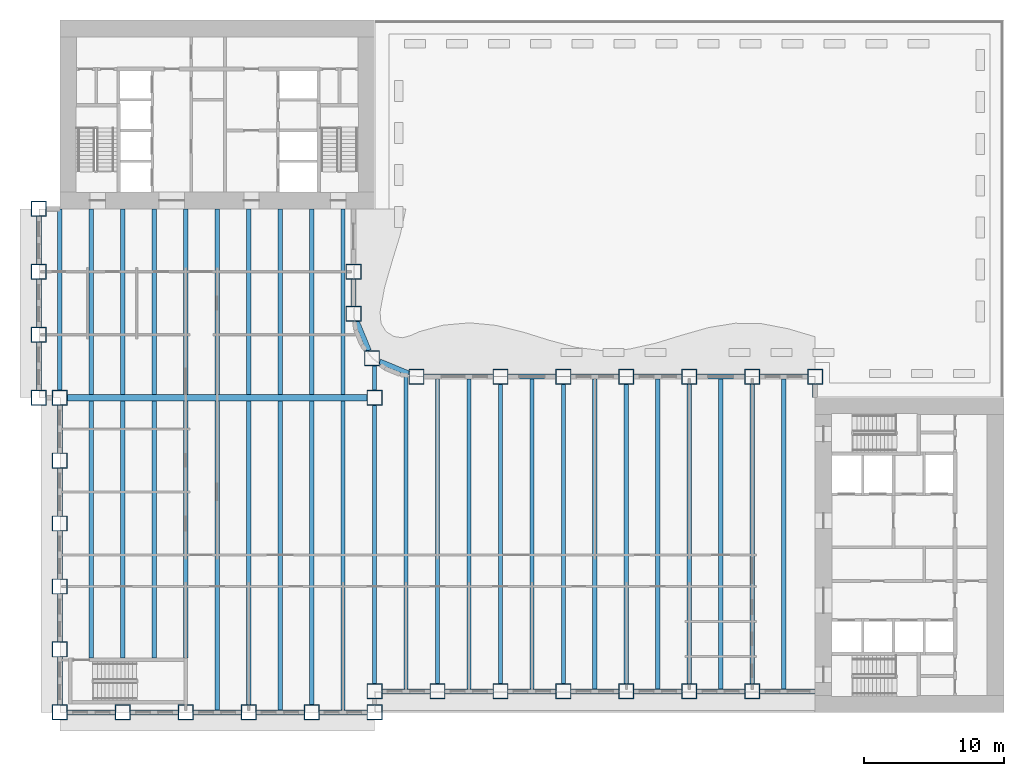
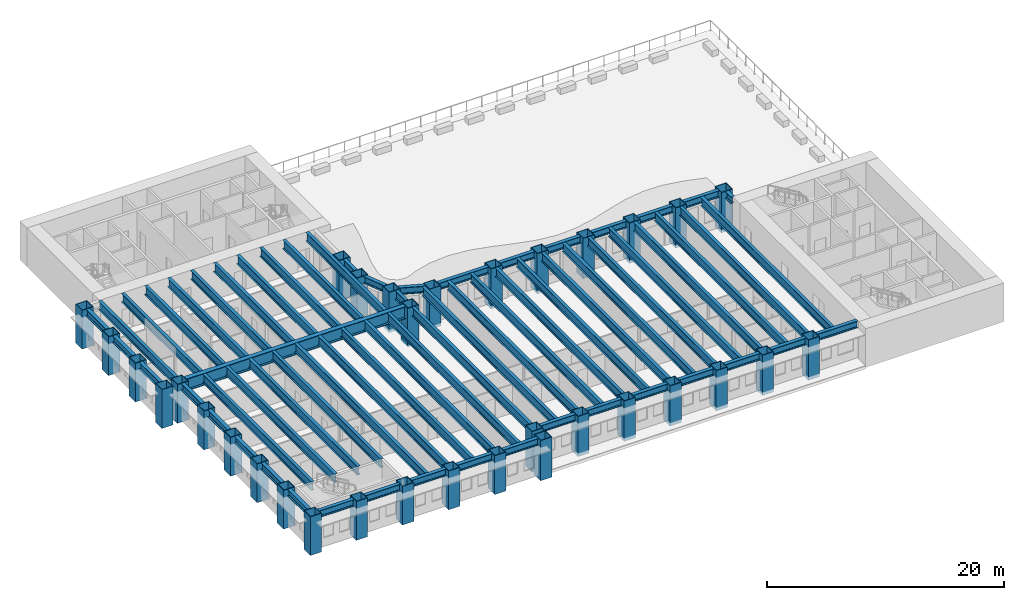
# One storey, part 1 of 18: 65 beams, 33 columns.
"""IFC4 building model written with IfcOpenShell, lengths in metres."""

import ifcopenshell
import ifcopenshell.guid

model = None  # the IFC model being written
_history = None  # IfcOwnerHistory: only IFC2X3 demands one
_inside = {}  # id of a spatial element -> (the spatial element, [elements in it])
_under = {}  # id of a project, library or spatial element -> (it, [spatial elements below it])
_declared = {}  # id of a project -> (the project, [libraries it declares])
_typed = {}  # id of a type object -> (the type object, [elements of that type])
_made_of = {}  # id of a material, layer set ... -> (it, [elements and type objects made of it])


def new_model(schema):
    """Start an empty IFC model of exactly this schema.

    Asked for "IFC4X3", IfcOpenShell would pick the latest addendum, in which some entities
    have other attributes; the version numbers below select the first issue.
    IFC2X3 requires an IfcOwnerHistory on every rooted entity: one is made here for all.
    """
    global model, _history
    if schema == "IFC4X3":
        model = ifcopenshell.file(schema_version=(4, 3, 0, 0))
    else:
        model = ifcopenshell.file(schema=schema)
    _inside.clear()
    _under.clear()
    _declared.clear()
    _typed.clear()
    _made_of.clear()
    _history = None
    if model.schema == "IFC2X3":
        org = make("IfcOrganization", Name="unknown")
        user = make(
            "IfcPersonAndOrganization",
            ThePerson=make("IfcPerson", FamilyName="unknown"),
            TheOrganization=org,
        )
        app = make(
            "IfcApplication",
            ApplicationDeveloper=org,
            Version="unknown",
            ApplicationFullName="unknown",
            ApplicationIdentifier="unknown",
        )
        _history = make(
            "IfcOwnerHistory",
            OwningUser=user,
            OwningApplication=app,
            ChangeAction="ADDED",
            CreationDate=0,
        )
    return model


def make(cls, **values):
    """One entity of the class cls with the attributes given. An attribute that is None is left unset."""
    return model.create_entity(
        cls, **{name: value for name, value in values.items() if value is not None}
    )


def rooted(cls, **values):
    """An entity with a GlobalId (a new one), such as an element, a storey or a relation."""
    return make(cls, GlobalId=ifcopenshell.guid.new(), OwnerHistory=_history, **values)


def si_unit(unit_type, name, prefix=None):
    """IfcSIUnit, for example si_unit("LENGTHUNIT", "METRE", prefix="MILLI")."""
    return make("IfcSIUnit", UnitType=unit_type, Prefix=prefix, Name=name)


def assignment(units):
    """IfcUnitAssignment: the units of a project."""
    return None if units is None else make("IfcUnitAssignment", Units=units)


def point(xyz):
    """IfcCartesianPoint."""
    return None if xyz is None else make("IfcCartesianPoint", Coordinates=xyz)


def direction(xyz):
    """IfcDirection."""
    return None if xyz is None else make("IfcDirection", DirectionRatios=xyz)


def frame(location, z_axis=None, x_axis=None):
    """IfcAxis2Placement3D, a coordinate frame: its origin and axes. An axis left out is left unset."""
    return make(
        "IfcAxis2Placement3D",
        Location=point(location),
        Axis=direction(z_axis),
        RefDirection=direction(x_axis),
    )


def frame_2d(location, x_axis=None):
    """IfcAxis2Placement2D, a coordinate frame in the plane: its origin and x axis."""
    return make(
        "IfcAxis2Placement2D", Location=point(location), RefDirection=direction(x_axis)
    )


def origin():
    """The frame at (0, 0, 0) with its axes left unset."""
    return frame((0.0, 0.0, 0.0))


def origin_2d():
    """The frame at (0, 0) in the plane with its x axis left unset."""
    return frame_2d((0.0, 0.0))


def place(relative_to, where):
    """IfcLocalPlacement: puts the frame where relative to a parent placement (None: the world)."""
    return make(
        "IfcLocalPlacement", PlacementRelTo=relative_to, RelativePlacement=where
    )


def context(
    kind, dimensions, precision=None, world=None, true_north=None, identifier=None
):
    """IfcGeometricRepresentationContext, for example the 3D "Model" context."""
    return make(
        "IfcGeometricRepresentationContext",
        ContextIdentifier=identifier,
        ContextType=kind,
        CoordinateSpaceDimension=dimensions,
        Precision=precision,
        WorldCoordinateSystem=world,
        TrueNorth=true_north,
    )


def subcontext(parent, identifier, kind, view, scale=None):
    """IfcGeometricRepresentationSubContext, for example "Body" below "Model"."""
    return make(
        "IfcGeometricRepresentationSubContext",
        ContextIdentifier=identifier,
        ContextType=kind,
        ParentContext=parent,
        TargetScale=scale,
        TargetView=view,
    )


def project(units=None, contexts=None):
    """IfcProject with its units and contexts."""
    return rooted(
        "IfcProject",
        Name="project",
        RepresentationContexts=contexts,
        UnitsInContext=assignment(units),
    )


def spatial(cls, under=None, at=None, **own):
    """A site, building, storey or space (cls), placed at a placement, below another one or the project."""
    s = rooted(cls, ObjectPlacement=at, **own)
    if under is not None:
        _under.setdefault(under.id(), (under, []))[1].append(s)
    return s


def profile(cls, at=None, kind="AREA", **sizes):
    """A parametric profile (cls). Its sizes go by their IFC names, for example OverallWidth=200.0."""
    return make(cls, ProfileType=kind, Position=at, **sizes)


def hollow_rectangle(**sizes):
    """IfcRectangleHollowProfileDef."""
    return profile("IfcRectangleHollowProfileDef", **sizes)


def i_section(**sizes):
    """IfcIShapeProfileDef."""
    return profile("IfcIShapeProfileDef", **sizes)


def extrude(swept, where, along, depth):
    """IfcExtrudedAreaSolid: the profile swept, set in the frame where, extruded along a direction by depth."""
    return make(
        "IfcExtrudedAreaSolid",
        SweptArea=swept,
        Position=where,
        ExtrudedDirection=direction(along),
        Depth=depth,
    )


def shape(context_of_items, identifier, shape_type, items):
    """IfcShapeRepresentation: the items that make up one representation, for example the "Body"."""
    return make(
        "IfcShapeRepresentation",
        ContextOfItems=context_of_items,
        RepresentationIdentifier=identifier,
        RepresentationType=shape_type,
        Items=items,
    )


def material(Name=None, Category=None):
    """IfcMaterial."""
    return make("IfcMaterial", Name=Name, Category=Category)


def material_profile(
    of_material, cross_section, Name=None, Category=None, Priority=None
):
    """IfcMaterialProfile: a cross section and its material."""
    return make(
        "IfcMaterialProfile",
        Name=Name,
        Material=of_material,
        Profile=cross_section,
        Priority=Priority,
        Category=Category,
    )


def profile_set(profiles, Name=None, composite=None):
    """IfcMaterialProfileSet."""
    return make(
        "IfcMaterialProfileSet",
        Name=Name,
        MaterialProfiles=profiles,
        CompositeProfile=composite,
    )


def made_of(thing, what):
    """Note that an element or type object is made of a material, layer set ...; save() writes the relation."""
    if what is not None:
        _made_of.setdefault(what.id(), (what, []))[1].append(thing)
    return thing


def type_object(cls, material=None, **own):
    """A type object (cls), such as IfcWallType, which elements share."""
    return made_of(rooted(cls, **own), material)


def element(
    cls,
    number,
    at=None,
    inside=None,
    cuts=None,
    type_object=None,
    material=None,
    context=None,
    identifier="Body",
    shape_type=None,
    held_by="IfcProductDefinitionShape",
    body=None,
    shapes=None,
    **own,
):
    """One element of the class cls, such as IfcWall. Its Tag is "e" and its number.

    at: its placement. inside: the storey or other place that contains it. cuts: it is an
    opening in that element (IfcRelVoidsElement). A single representation is given by context,
    identifier, shape_type and body (its items); several are given by shapes. held_by: the class
    of the entity that holds the representations. save() writes the other relations.
    """
    e = rooted(cls, Tag="e%d" % number, ObjectPlacement=at, **own)
    if body is not None:
        shapes = [shape(context, identifier, shape_type, body)]
    if shapes is not None:
        e.Representation = make(held_by, Representations=shapes)
    if inside is not None:
        _inside.setdefault(inside.id(), (inside, []))[1].append(e)
    if cuts is not None:
        rooted(
            "IfcRelVoidsElement", RelatingBuildingElement=cuts, RelatedOpeningElement=e
        )
    if type_object is not None:
        _typed.setdefault(type_object.id(), (type_object, []))[1].append(e)
    return made_of(e, material)


def aggregate(whole, parts):
    """IfcRelAggregates: a whole, such as a stair, and the parts it consists of."""
    return rooted("IfcRelAggregates", RelatingObject=whole, RelatedObjects=parts)


def save(model, path):
    """Write the relations noted so far, then the file.

    IfcRelAggregates (storeys below a building ...), IfcRelContainedInSpatialStructure (elements
    in a storey), IfcRelDefinesByType, IfcRelAssociatesMaterial and IfcRelDeclares: one each for
    every whole, place, type object, material and project.
    """
    for whole, parts in _under.values():
        aggregate(whole, parts)
    for where, things in _inside.values():
        rooted(
            "IfcRelContainedInSpatialStructure",
            RelatedElements=things,
            RelatingStructure=where,
        )
    for kind, things in _typed.values():
        rooted("IfcRelDefinesByType", RelatedObjects=things, RelatingType=kind)
    for what, things in _made_of.values():
        rooted("IfcRelAssociatesMaterial", RelatedObjects=things, RelatingMaterial=what)
    for by, libraries in _declared.values():
        rooted("IfcRelDeclares", RelatingContext=by, RelatedDefinitions=libraries)
    model.write(path)


model = new_model("IFC4")

# Units and contexts
model_context = context("Model", 3, precision=1e-05, world=origin(), true_north=direction((0.0, 1.0)))
body_context = subcontext(model_context, "Body", "Model", "MODEL_VIEW")
ifc_project = project(units=[si_unit("LENGTHUNIT", "METRE"), si_unit("AREAUNIT", "SQUARE_METRE"), si_unit("VOLUMEUNIT", "CUBIC_METRE"), si_unit("PLANEANGLEUNIT", "RADIAN"), si_unit("MASSUNIT", "GRAM", prefix="KILO")], contexts=[model_context])

# Site, building, storey
site_placement = place(None, origin())
site = spatial("IfcSite", under=ifc_project, at=site_placement, CompositionType="ELEMENT")
building_placement = place(site_placement, origin())
building = spatial("IfcBuilding", under=site, at=building_placement, Name="Sennacour Bend Tower", CompositionType="ELEMENT")
storey_placement = place(building_placement, frame((0.0, 0.0, 29.0)))
storey = spatial("IfcBuildingStorey", under=building, at=storey_placement, Name="L05", CompositionType="ELEMENT", Elevation=29.0)

# Columns
ifc_material_1 = material(Name="Steel ASTM A572 Grade 50", Category="steel")
ifc_material_profile_1 = material_profile(ifc_material_1, hollow_rectangle(XDim=1.10009765625, YDim=1.10009765625, WallThickness=0.06005859375, at=origin_2d()), Name="Steel ASTM A572 Grade 50", Category="steel")
ifc_profile_set_1 = profile_set([ifc_material_profile_1], Name="Steel ASTM A572 Grade 50")
column_type = type_object("IfcColumnType", Name="Box column 1100", PredefinedType="COLUMN", material=ifc_profile_set_1)
for number, where, z_axis, x_axis, name in (
    (1, (-1.5, 22.5, -0.14990234375), (0.0, 0.0, 1.0), (1.0, 0.0, 0.0), "Perimeter column C1 L05-001"),
    (2, (-1.5, 27.0, -0.14990234375), (0.0, 0.0, 1.0), (1.0, 0.0, 0.0), "Perimeter column C1 L05-002"),
    (3, (-1.5, 31.5, -0.14990234375), (0.0, 0.0, 1.0), (1.0, 0.0, 0.0), "Perimeter column C1 L05-003"),
    (4, (-1.5, 36.0, -0.14990234375), (0.0, 0.0, 1.0), (1.0, 0.0, 0.0), "Perimeter column C1 L05-004"),
    (5, (0.0, 0.0, -0.14990234375), (0.0, 0.0, 1.0), (1.0, 0.0, 0.0), "Perimeter column C1 L05-005"),
    (6, (0.0, 4.5, -0.14990234375), (0.0, 0.0, 1.0), (1.0, 0.0, 0.0), "Perimeter column C1 L05-006"),
    (7, (0.0, 9.0, -0.14990234375), (0.0, 0.0, 1.0), (1.0, 0.0, 0.0), "Perimeter column C1 L05-007"),
    (8, (0.0, 13.5, -0.14990234375), (0.0, 0.0, 1.0), (1.0, 0.0, 0.0), "Perimeter column C1 L05-008"),
    (9, (0.0, 18.0, -0.14990234375), (0.0, 0.0, 1.0), (1.0, 0.0, 0.0), "Perimeter column C1 L05-009"),
    (10, (0.0, 22.5, -0.14990234375), (0.0, 0.0, 1.0), (1.0, 0.0, 0.0), "Perimeter column C1 L05-010"),
    (11, (4.5, 0.0, -0.14990234375), (0.0, 0.0, 1.0), (1.0, 0.0, 0.0), "Perimeter column C1 L05-011"),
    (12, (9.0, 0.0, -0.14990234375), (0.0, 0.0, 1.0), (1.0, 0.0, 0.0), "Perimeter column C1 L05-012"),
    (13, (13.5, 0.0, -0.14990234375), (0.0, 0.0, 1.0), (1.0, 0.0, 0.0), "Perimeter column C1 L05-013"),
    (14, (18.0, 0.0, -0.14990234375), (0.0, 0.0, 1.0), (1.0, 0.0, 0.0), "Perimeter column C1 L05-014"),
):
    element("IfcColumn", number, at=place(storey_placement, frame(where, z_axis=z_axis, x_axis=x_axis)), inside=storey, type_object=column_type, Name=name, PredefinedType="COLUMN", context=body_context, shape_type="SweptSolid", body=[
        extrude(hollow_rectangle(XDim=1.10009765625, YDim=1.10009765625, WallThickness=0.06005859375, at=origin_2d()), origin(), (0.0, 0.0, 1.0), 4.0),
    ])
for number, where, z_axis, x_axis, name in (
    (15, (21.0, 28.5, -0.300048828125), (0.0, 0.0, 1.0), (1.0, 0.0, 0.0), "Perimeter column C1 L05-015"),
    (16, (21.0, 31.5, -0.300048828125), (0.0, 0.0, 1.0), (1.0, 0.0, 0.0), "Perimeter column C1 L05-016"),
    (17, (22.318115234375, 25.318115234375, -0.300048828125), (0.0, 0.0, 1.0), (1.0, 0.0, 0.0), "Perimeter column C1 L05-017"),
    (18, (22.5, 0.0, -0.300048828125), (0.0, 0.0, 1.0), (1.0, 0.0, 0.0), "Perimeter column C1 L05-018"),
    (19, (22.5, 1.5, -0.300048828125), (0.0, 0.0, 1.0), (1.0, 0.0, 0.0), "Perimeter column C1 L05-019"),
):
    element("IfcColumn", number, at=place(storey_placement, frame(where, z_axis=z_axis, x_axis=x_axis)), inside=storey, type_object=column_type, Name=name, PredefinedType="COLUMN", context=body_context, shape_type="SweptSolid", body=[
        extrude(hollow_rectangle(XDim=1.10009765625, YDim=1.10009765625, WallThickness=0.06005859375, at=origin_2d()), origin(), (0.0, 0.0, 1.0), 4.150146484375),
    ])
column_placement = place(storey_placement, frame((22.5, 22.5, -0.14990234375), z_axis=(0.0, 0.0, 1.0), x_axis=(1.0, 0.0, 0.0)))
element("IfcColumn", 20, at=column_placement, inside=storey, type_object=column_type, Name="Knuckle column C1 L05-020", PredefinedType="COLUMN", context=body_context, shape_type="SweptSolid", body=[
    extrude(hollow_rectangle(XDim=1.10009765625, YDim=1.10009765625, WallThickness=0.06005859375, at=origin_2d()), origin(), (0.0, 0.0, 1.0), 4.0),
])
for number, where, z_axis, x_axis, name in (
    (21, (25.5, 24.0, -0.300048828125), (0.0, 0.0, 1.0), (1.0, 0.0, 0.0), "Perimeter column C1 L05-021"),
    (22, (27.0, 1.5, -0.300048828125), (0.0, 0.0, 1.0), (1.0, 0.0, 0.0), "Perimeter column C1 L05-022"),
    (23, (31.5, 1.5, -0.300048828125), (0.0, 0.0, 1.0), (1.0, 0.0, 0.0), "Perimeter column C1 L05-023"),
    (24, (31.5, 24.0, -0.300048828125), (0.0, 0.0, 1.0), (1.0, 0.0, 0.0), "Perimeter column C1 L05-024"),
    (25, (36.0, 1.5, -0.300048828125), (0.0, 0.0, 1.0), (1.0, 0.0, 0.0), "Perimeter column C1 L05-025"),
    (26, (36.0, 24.0, -0.300048828125), (0.0, 0.0, 1.0), (1.0, 0.0, 0.0), "Perimeter column C1 L05-026"),
    (27, (40.5, 1.5, -0.300048828125), (0.0, 0.0, 1.0), (1.0, 0.0, 0.0), "Perimeter column C1 L05-027"),
    (28, (40.5, 24.0, -0.300048828125), (0.0, 0.0, 1.0), (1.0, 0.0, 0.0), "Perimeter column C1 L05-028"),
    (29, (45.0, 1.5, -0.300048828125), (0.0, 0.0, 1.0), (1.0, 0.0, 0.0), "Perimeter column C1 L05-029"),
    (30, (45.0, 24.0, -0.300048828125), (0.0, 0.0, 1.0), (1.0, 0.0, 0.0), "Perimeter column C1 L05-030"),
    (31, (49.5, 1.5, -0.300048828125), (0.0, 0.0, 1.0), (1.0, 0.0, 0.0), "Perimeter column C1 L05-031"),
    (32, (49.5, 24.0, -0.300048828125), (0.0, 0.0, 1.0), (1.0, 0.0, 0.0), "Perimeter column C1 L05-032"),
    (33, (54.0, 24.0, -0.300048828125), (0.0, 0.0, 1.0), (1.0, 0.0, 0.0), "Perimeter column C1 L05-033"),
):
    element("IfcColumn", number, at=place(storey_placement, frame(where, z_axis=z_axis, x_axis=x_axis)), inside=storey, type_object=column_type, Name=name, PredefinedType="COLUMN", context=body_context, shape_type="SweptSolid", body=[
        extrude(hollow_rectangle(XDim=1.10009765625, YDim=1.10009765625, WallThickness=0.06005859375, at=origin_2d()), origin(), (0.0, 0.0, 1.0), 4.150146484375),
    ])

# Beams
ifc_material_2 = material(Name="Steel ASTM A992 Grade 50", Category="steel")
ifc_material_profile_2 = material_profile(ifc_material_2, i_section(OverallWidth=0.304931640625, OverallDepth=0.912109375, WebThickness=0.015869140625, FlangeThickness=0.02392578125, FilletRadius=0.01904296875, at=origin_2d()), Name="Steel ASTM A992 Grade 50", Category="steel")
ifc_profile_set_2 = profile_set([ifc_material_profile_2], Name="Steel ASTM A992 Grade 50")
beam_type_1 = type_object("IfcBeamType", Name="Floor beam W920X223", PredefinedType="BEAM", material=ifc_profile_set_2)
beam_1_placement = place(storey_placement, frame((0.0, 23.050048828125, 3.39404296875), z_axis=(0.0, 1.0, 0.0), x_axis=(-1.0, 0.0, 0.0)))
element("IfcBeam", 34, at=beam_1_placement, inside=storey, type_object=beam_type_1, Name="Floor beam FBM1 L06-001", PredefinedType="BEAM", context=body_context, shape_type="SweptSolid", body=[
    extrude(i_section(OverallWidth=0.304931640625, OverallDepth=0.912109375, WebThickness=0.015869140625, FlangeThickness=0.02392578125, FilletRadius=0.01904296875, at=origin_2d()), origin(), (0.0, 0.0, 1.0), 12.949951171875),
])
beam_2_placement = place(storey_placement, frame((2.25, 3.875, 3.39404296875), z_axis=(0.0, 1.0, 0.0), x_axis=(-1.0, 0.0, 0.0)))
element("IfcBeam", 35, at=beam_2_placement, inside=storey, type_object=beam_type_1, Name="Floor beam FBM1 L06-002", PredefinedType="BEAM", context=body_context, shape_type="SweptSolid", body=[
    extrude(i_section(OverallWidth=0.304931640625, OverallDepth=0.912109375, WebThickness=0.015869140625, FlangeThickness=0.02392578125, FilletRadius=0.01904296875, at=origin_2d()), origin(), (0.0, 0.0, 1.0), 18.39990234375),
])
beam_3_placement = place(storey_placement, frame((2.25, 22.72509765625, 3.39404296875), z_axis=(0.0, 1.0, 0.0), x_axis=(-1.0, 0.0, 0.0)))
element("IfcBeam", 36, at=beam_3_placement, inside=storey, type_object=beam_type_1, Name="Floor beam FBM1 L06-003", PredefinedType="BEAM", context=body_context, shape_type="SweptSolid", body=[
    extrude(i_section(OverallWidth=0.304931640625, OverallDepth=0.912109375, WebThickness=0.015869140625, FlangeThickness=0.02392578125, FilletRadius=0.01904296875, at=origin_2d()), origin(), (0.0, 0.0, 1.0), 13.27490234375),
])
beam_4_placement = place(storey_placement, frame((4.5, 3.875, 3.39404296875), z_axis=(0.0, 1.0, 0.0), x_axis=(-1.0, 0.0, 0.0)))
element("IfcBeam", 37, at=beam_4_placement, inside=storey, type_object=beam_type_1, Name="Floor beam FBM1 L06-004", PredefinedType="BEAM", context=body_context, shape_type="SweptSolid", body=[
    extrude(i_section(OverallWidth=0.304931640625, OverallDepth=0.912109375, WebThickness=0.015869140625, FlangeThickness=0.02392578125, FilletRadius=0.01904296875, at=origin_2d()), origin(), (0.0, 0.0, 1.0), 18.39990234375),
])
beam_5_placement = place(storey_placement, frame((4.5, 22.72509765625, 3.39404296875), z_axis=(0.0, 1.0, 0.0), x_axis=(-1.0, 0.0, 0.0)))
element("IfcBeam", 38, at=beam_5_placement, inside=storey, type_object=beam_type_1, Name="Floor beam FBM1 L06-005", PredefinedType="BEAM", context=body_context, shape_type="SweptSolid", body=[
    extrude(i_section(OverallWidth=0.304931640625, OverallDepth=0.912109375, WebThickness=0.015869140625, FlangeThickness=0.02392578125, FilletRadius=0.01904296875, at=origin_2d()), origin(), (0.0, 0.0, 1.0), 13.27490234375),
])
beam_6_placement = place(storey_placement, frame((6.75, 3.875, 3.39404296875), z_axis=(0.0, 1.0, 0.0), x_axis=(-1.0, 0.0, 0.0)))
element("IfcBeam", 39, at=beam_6_placement, inside=storey, type_object=beam_type_1, Name="Floor beam FBM1 L06-006", PredefinedType="BEAM", context=body_context, shape_type="SweptSolid", body=[
    extrude(i_section(OverallWidth=0.304931640625, OverallDepth=0.912109375, WebThickness=0.015869140625, FlangeThickness=0.02392578125, FilletRadius=0.01904296875, at=origin_2d()), origin(), (0.0, 0.0, 1.0), 18.39990234375),
])
beam_7_placement = place(storey_placement, frame((6.75, 22.72509765625, 3.39404296875), z_axis=(0.0, 1.0, 0.0), x_axis=(-1.0, 0.0, 0.0)))
element("IfcBeam", 40, at=beam_7_placement, inside=storey, type_object=beam_type_1, Name="Floor beam FBM1 L06-007", PredefinedType="BEAM", context=body_context, shape_type="SweptSolid", body=[
    extrude(i_section(OverallWidth=0.304931640625, OverallDepth=0.912109375, WebThickness=0.015869140625, FlangeThickness=0.02392578125, FilletRadius=0.01904296875, at=origin_2d()), origin(), (0.0, 0.0, 1.0), 13.27490234375),
])
beam_8_placement = place(storey_placement, frame((9.0, 3.875, 3.39404296875), z_axis=(0.0, 1.0, 0.0), x_axis=(-1.0, 0.0, 0.0)))
element("IfcBeam", 41, at=beam_8_placement, inside=storey, type_object=beam_type_1, Name="Floor beam FBM1 L06-008", PredefinedType="BEAM", context=body_context, shape_type="SweptSolid", body=[
    extrude(i_section(OverallWidth=0.304931640625, OverallDepth=0.912109375, WebThickness=0.015869140625, FlangeThickness=0.02392578125, FilletRadius=0.01904296875, at=origin_2d()), origin(), (0.0, 0.0, 1.0), 18.39990234375),
])
beam_9_placement = place(storey_placement, frame((9.0, 22.72509765625, 3.39404296875), z_axis=(0.0, 1.0, 0.0), x_axis=(-1.0, 0.0, 0.0)))
element("IfcBeam", 42, at=beam_9_placement, inside=storey, type_object=beam_type_1, Name="Floor beam FBM1 L06-009", PredefinedType="BEAM", context=body_context, shape_type="SweptSolid", body=[
    extrude(i_section(OverallWidth=0.304931640625, OverallDepth=0.912109375, WebThickness=0.015869140625, FlangeThickness=0.02392578125, FilletRadius=0.01904296875, at=origin_2d()), origin(), (0.0, 0.0, 1.0), 13.27490234375),
])
beam_10_placement = place(storey_placement, frame((11.25, 0.178955078125, 3.39404296875), z_axis=(0.0, 1.0, 0.0), x_axis=(-1.0, 0.0, 0.0)))
element("IfcBeam", 43, at=beam_10_placement, inside=storey, type_object=beam_type_1, Name="Floor beam FBM1 L06-010", PredefinedType="BEAM", context=body_context, shape_type="SweptSolid", body=[
    extrude(i_section(OverallWidth=0.304931640625, OverallDepth=0.912109375, WebThickness=0.015869140625, FlangeThickness=0.02392578125, FilletRadius=0.01904296875, at=origin_2d()), origin(), (0.0, 0.0, 1.0), 22.095947265625),
])
beam_11_placement = place(storey_placement, frame((11.25, 22.72509765625, 3.39404296875), z_axis=(0.0, 1.0, 0.0), x_axis=(-1.0, 0.0, 0.0)))
element("IfcBeam", 44, at=beam_11_placement, inside=storey, type_object=beam_type_1, Name="Floor beam FBM1 L06-011", PredefinedType="BEAM", context=body_context, shape_type="SweptSolid", body=[
    extrude(i_section(OverallWidth=0.304931640625, OverallDepth=0.912109375, WebThickness=0.015869140625, FlangeThickness=0.02392578125, FilletRadius=0.01904296875, at=origin_2d()), origin(), (0.0, 0.0, 1.0), 13.27490234375),
])
beam_12_placement = place(storey_placement, frame((13.5, 0.550048828125, 3.39404296875), z_axis=(0.0, 1.0, 0.0), x_axis=(-1.0, 0.0, 0.0)))
element("IfcBeam", 45, at=beam_12_placement, inside=storey, type_object=beam_type_1, Name="Floor beam FBM1 L06-012", PredefinedType="BEAM", context=body_context, shape_type="SweptSolid", body=[
    extrude(i_section(OverallWidth=0.304931640625, OverallDepth=0.912109375, WebThickness=0.015869140625, FlangeThickness=0.02392578125, FilletRadius=0.01904296875, at=origin_2d()), origin(), (0.0, 0.0, 1.0), 21.724853515625),
])
beam_13_placement = place(storey_placement, frame((13.5, 22.72509765625, 3.39404296875), z_axis=(0.0, 1.0, 0.0), x_axis=(-1.0, 0.0, 0.0)))
element("IfcBeam", 46, at=beam_13_placement, inside=storey, type_object=beam_type_1, Name="Floor beam FBM1 L06-013", PredefinedType="BEAM", context=body_context, shape_type="SweptSolid", body=[
    extrude(i_section(OverallWidth=0.304931640625, OverallDepth=0.912109375, WebThickness=0.015869140625, FlangeThickness=0.02392578125, FilletRadius=0.01904296875, at=origin_2d()), origin(), (0.0, 0.0, 1.0), 13.27490234375),
])
beam_14_placement = place(storey_placement, frame((15.75, 0.178955078125, 3.39404296875), z_axis=(0.0, 1.0, 0.0), x_axis=(-1.0, 0.0, 0.0)))
element("IfcBeam", 47, at=beam_14_placement, inside=storey, type_object=beam_type_1, Name="Floor beam FBM1 L06-014", PredefinedType="BEAM", context=body_context, shape_type="SweptSolid", body=[
    extrude(i_section(OverallWidth=0.304931640625, OverallDepth=0.912109375, WebThickness=0.015869140625, FlangeThickness=0.02392578125, FilletRadius=0.01904296875, at=origin_2d()), origin(), (0.0, 0.0, 1.0), 22.095947265625),
])
beam_15_placement = place(storey_placement, frame((15.75, 22.72509765625, 3.39404296875), z_axis=(0.0, 1.0, 0.0), x_axis=(-1.0, 0.0, 0.0)))
element("IfcBeam", 48, at=beam_15_placement, inside=storey, type_object=beam_type_1, Name="Floor beam FBM1 L06-015", PredefinedType="BEAM", context=body_context, shape_type="SweptSolid", body=[
    extrude(i_section(OverallWidth=0.304931640625, OverallDepth=0.912109375, WebThickness=0.015869140625, FlangeThickness=0.02392578125, FilletRadius=0.01904296875, at=origin_2d()), origin(), (0.0, 0.0, 1.0), 13.27490234375),
])
beam_16_placement = place(storey_placement, frame((18.0, 0.550048828125, 3.39404296875), z_axis=(0.0, 1.0, 0.0), x_axis=(-1.0, 0.0, 0.0)))
element("IfcBeam", 49, at=beam_16_placement, inside=storey, type_object=beam_type_1, Name="Floor beam FBM1 L06-016", PredefinedType="BEAM", context=body_context, shape_type="SweptSolid", body=[
    extrude(i_section(OverallWidth=0.304931640625, OverallDepth=0.912109375, WebThickness=0.015869140625, FlangeThickness=0.02392578125, FilletRadius=0.01904296875, at=origin_2d()), origin(), (0.0, 0.0, 1.0), 21.724853515625),
])
beam_17_placement = place(storey_placement, frame((18.0, 22.72509765625, 3.39404296875), z_axis=(0.0, 1.0, 0.0), x_axis=(-1.0, 0.0, 0.0)))
element("IfcBeam", 50, at=beam_17_placement, inside=storey, type_object=beam_type_1, Name="Floor beam FBM1 L06-017", PredefinedType="BEAM", context=body_context, shape_type="SweptSolid", body=[
    extrude(i_section(OverallWidth=0.304931640625, OverallDepth=0.912109375, WebThickness=0.015869140625, FlangeThickness=0.02392578125, FilletRadius=0.01904296875, at=origin_2d()), origin(), (0.0, 0.0, 1.0), 13.27490234375),
])
beam_18_placement = place(storey_placement, frame((20.25, 0.178955078125, 3.39404296875), z_axis=(0.0, 1.0, 0.0), x_axis=(-1.0, 0.0, 0.0)))
element("IfcBeam", 51, at=beam_18_placement, inside=storey, type_object=beam_type_1, Name="Floor beam FBM1 L06-018", PredefinedType="BEAM", context=body_context, shape_type="SweptSolid", body=[
    extrude(i_section(OverallWidth=0.304931640625, OverallDepth=0.912109375, WebThickness=0.015869140625, FlangeThickness=0.02392578125, FilletRadius=0.01904296875, at=origin_2d()), origin(), (0.0, 0.0, 1.0), 22.095947265625),
])
beam_19_placement = place(storey_placement, frame((20.25, 22.72509765625, 3.39404296875), z_axis=(0.0, 1.0, 0.0), x_axis=(-1.0, 0.0, 0.0)))
element("IfcBeam", 52, at=beam_19_placement, inside=storey, type_object=beam_type_1, Name="Floor beam FBM1 L06-019", PredefinedType="BEAM", context=body_context, shape_type="SweptSolid", body=[
    extrude(i_section(OverallWidth=0.304931640625, OverallDepth=0.912109375, WebThickness=0.015869140625, FlangeThickness=0.02392578125, FilletRadius=0.01904296875, at=origin_2d()), origin(), (0.0, 0.0, 1.0), 13.27490234375),
])
beam_20_placement = place(storey_placement, frame((22.5, 2.050048828125, 3.39404296875), z_axis=(0.0, 1.0, 0.0), x_axis=(-1.0, 0.0, 0.0)))
element("IfcBeam", 53, at=beam_20_placement, inside=storey, type_object=beam_type_1, Name="Floor beam FBM1 L06-020", PredefinedType="BEAM", context=body_context, shape_type="SweptSolid", body=[
    extrude(i_section(OverallWidth=0.304931640625, OverallDepth=0.912109375, WebThickness=0.015869140625, FlangeThickness=0.02392578125, FilletRadius=0.01904296875, at=origin_2d()), origin(), (0.0, 0.0, 1.0), 19.89990234375),
])
beam_21_placement = place(storey_placement, frame((22.5, 23.050048828125, 3.39404296875), z_axis=(0.0, 1.0, 0.0), x_axis=(-1.0, 0.0, 0.0)))
element("IfcBeam", 54, at=beam_21_placement, inside=storey, type_object=beam_type_1, Name="Floor beam FBM1 L06-021", PredefinedType="BEAM", context=body_context, shape_type="SweptSolid", body=[
    extrude(i_section(OverallWidth=0.304931640625, OverallDepth=0.912109375, WebThickness=0.015869140625, FlangeThickness=0.02392578125, FilletRadius=0.01904296875, at=origin_2d()), origin(), (0.0, 0.0, 1.0), 1.718017578125),
])
beam_22_placement = place(storey_placement, frame((24.75, 1.678955078125, 3.39404296875), z_axis=(0.0, 1.0, 0.0), x_axis=(-1.0, 0.0, 0.0)))
element("IfcBeam", 55, at=beam_22_placement, inside=storey, type_object=beam_type_1, Name="Floor beam FBM1 L06-022", PredefinedType="BEAM", context=body_context, shape_type="SweptSolid", body=[
    extrude(i_section(OverallWidth=0.304931640625, OverallDepth=0.912109375, WebThickness=0.015869140625, FlangeThickness=0.02392578125, FilletRadius=0.01904296875, at=origin_2d()), origin(), (0.0, 0.0, 1.0), 22.43798828125),
])
beam_23_placement = place(storey_placement, frame((27.0, 2.050048828125, 3.39404296875), z_axis=(0.0, 1.0, 0.0), x_axis=(-1.0, 0.0, 0.0)))
element("IfcBeam", 56, at=beam_23_placement, inside=storey, type_object=beam_type_1, Name="Floor beam FBM1 L06-023", PredefinedType="BEAM", context=body_context, shape_type="SweptSolid", body=[
    extrude(i_section(OverallWidth=0.304931640625, OverallDepth=0.912109375, WebThickness=0.015869140625, FlangeThickness=0.02392578125, FilletRadius=0.01904296875, at=origin_2d()), origin(), (0.0, 0.0, 1.0), 21.77099609375),
])
beam_24_placement = place(storey_placement, frame((29.25, 1.678955078125, 3.39404296875), z_axis=(0.0, 1.0, 0.0), x_axis=(-1.0, 0.0, 0.0)))
element("IfcBeam", 57, at=beam_24_placement, inside=storey, type_object=beam_type_1, Name="Floor beam FBM1 L06-024", PredefinedType="BEAM", context=body_context, shape_type="SweptSolid", body=[
    extrude(i_section(OverallWidth=0.304931640625, OverallDepth=0.912109375, WebThickness=0.015869140625, FlangeThickness=0.02392578125, FilletRadius=0.01904296875, at=origin_2d()), origin(), (0.0, 0.0, 1.0), 22.14208984375),
])
beam_25_placement = place(storey_placement, frame((31.5, 2.050048828125, 3.39404296875), z_axis=(0.0, 1.0, 0.0), x_axis=(-1.0, 0.0, 0.0)))
element("IfcBeam", 58, at=beam_25_placement, inside=storey, type_object=beam_type_1, Name="Floor beam FBM1 L06-025", PredefinedType="BEAM", context=body_context, shape_type="SweptSolid", body=[
    extrude(i_section(OverallWidth=0.304931640625, OverallDepth=0.912109375, WebThickness=0.015869140625, FlangeThickness=0.02392578125, FilletRadius=0.01904296875, at=origin_2d()), origin(), (0.0, 0.0, 1.0), 21.39990234375),
])
beam_26_placement = place(storey_placement, frame((33.75, 1.678955078125, 3.39404296875), z_axis=(0.0, 1.0, 0.0), x_axis=(-1.0, 0.0, 0.0)))
element("IfcBeam", 59, at=beam_26_placement, inside=storey, type_object=beam_type_1, Name="Floor beam FBM1 L06-026", PredefinedType="BEAM", context=body_context, shape_type="SweptSolid", body=[
    extrude(i_section(OverallWidth=0.304931640625, OverallDepth=0.912109375, WebThickness=0.015869140625, FlangeThickness=0.02392578125, FilletRadius=0.01904296875, at=origin_2d()), origin(), (0.0, 0.0, 1.0), 22.14208984375),
])
beam_27_placement = place(storey_placement, frame((36.0, 2.050048828125, 3.39404296875), z_axis=(0.0, 1.0, 0.0), x_axis=(-1.0, 0.0, 0.0)))
element("IfcBeam", 60, at=beam_27_placement, inside=storey, type_object=beam_type_1, Name="Floor beam FBM1 L06-027", PredefinedType="BEAM", context=body_context, shape_type="SweptSolid", body=[
    extrude(i_section(OverallWidth=0.304931640625, OverallDepth=0.912109375, WebThickness=0.015869140625, FlangeThickness=0.02392578125, FilletRadius=0.01904296875, at=origin_2d()), origin(), (0.0, 0.0, 1.0), 21.39990234375),
])
beam_28_placement = place(storey_placement, frame((38.25, 1.678955078125, 3.39404296875), z_axis=(0.0, 1.0, 0.0), x_axis=(-1.0, 0.0, 0.0)))
element("IfcBeam", 61, at=beam_28_placement, inside=storey, type_object=beam_type_1, Name="Floor beam FBM1 L06-028", PredefinedType="BEAM", context=body_context, shape_type="SweptSolid", body=[
    extrude(i_section(OverallWidth=0.304931640625, OverallDepth=0.912109375, WebThickness=0.015869140625, FlangeThickness=0.02392578125, FilletRadius=0.01904296875, at=origin_2d()), origin(), (0.0, 0.0, 1.0), 22.14208984375),
])
beam_29_placement = place(storey_placement, frame((40.5, 2.050048828125, 3.39404296875), z_axis=(0.0, 1.0, 0.0), x_axis=(-1.0, 0.0, 0.0)))
element("IfcBeam", 62, at=beam_29_placement, inside=storey, type_object=beam_type_1, Name="Floor beam FBM1 L06-029", PredefinedType="BEAM", context=body_context, shape_type="SweptSolid", body=[
    extrude(i_section(OverallWidth=0.304931640625, OverallDepth=0.912109375, WebThickness=0.015869140625, FlangeThickness=0.02392578125, FilletRadius=0.01904296875, at=origin_2d()), origin(), (0.0, 0.0, 1.0), 21.39990234375),
])
beam_30_placement = place(storey_placement, frame((42.75, 1.678955078125, 3.39404296875), z_axis=(0.0, 1.0, 0.0), x_axis=(-1.0, 0.0, 0.0)))
element("IfcBeam", 63, at=beam_30_placement, inside=storey, type_object=beam_type_1, Name="Floor beam FBM1 L06-030", PredefinedType="BEAM", context=body_context, shape_type="SweptSolid", body=[
    extrude(i_section(OverallWidth=0.304931640625, OverallDepth=0.912109375, WebThickness=0.015869140625, FlangeThickness=0.02392578125, FilletRadius=0.01904296875, at=origin_2d()), origin(), (0.0, 0.0, 1.0), 22.14208984375),
])
beam_31_placement = place(storey_placement, frame((45.0, 2.050048828125, 3.39404296875), z_axis=(0.0, 1.0, 0.0), x_axis=(-1.0, 0.0, 0.0)))
element("IfcBeam", 64, at=beam_31_placement, inside=storey, type_object=beam_type_1, Name="Floor beam FBM1 L06-031", PredefinedType="BEAM", context=body_context, shape_type="SweptSolid", body=[
    extrude(i_section(OverallWidth=0.304931640625, OverallDepth=0.912109375, WebThickness=0.015869140625, FlangeThickness=0.02392578125, FilletRadius=0.01904296875, at=origin_2d()), origin(), (0.0, 0.0, 1.0), 21.39990234375),
])
beam_32_placement = place(storey_placement, frame((47.25, 1.678955078125, 3.39404296875), z_axis=(0.0, 1.0, 0.0), x_axis=(-1.0, 0.0, 0.0)))
element("IfcBeam", 65, at=beam_32_placement, inside=storey, type_object=beam_type_1, Name="Floor beam FBM1 L06-032", PredefinedType="BEAM", context=body_context, shape_type="SweptSolid", body=[
    extrude(i_section(OverallWidth=0.304931640625, OverallDepth=0.912109375, WebThickness=0.015869140625, FlangeThickness=0.02392578125, FilletRadius=0.01904296875, at=origin_2d()), origin(), (0.0, 0.0, 1.0), 22.14208984375),
])
beam_33_placement = place(storey_placement, frame((49.5, 2.050048828125, 3.39404296875), z_axis=(0.0, 1.0, 0.0), x_axis=(-1.0, 0.0, 0.0)))
element("IfcBeam", 66, at=beam_33_placement, inside=storey, type_object=beam_type_1, Name="Floor beam FBM1 L06-033", PredefinedType="BEAM", context=body_context, shape_type="SweptSolid", body=[
    extrude(i_section(OverallWidth=0.304931640625, OverallDepth=0.912109375, WebThickness=0.015869140625, FlangeThickness=0.02392578125, FilletRadius=0.01904296875, at=origin_2d()), origin(), (0.0, 0.0, 1.0), 21.39990234375),
])
beam_34_placement = place(storey_placement, frame((51.75, 1.678955078125, 3.39404296875), z_axis=(0.0, 1.0, 0.0), x_axis=(-1.0, 0.0, 0.0)))
element("IfcBeam", 67, at=beam_34_placement, inside=storey, type_object=beam_type_1, Name="Floor beam FBM1 L06-034", PredefinedType="BEAM", context=body_context, shape_type="SweptSolid", body=[
    extrude(i_section(OverallWidth=0.304931640625, OverallDepth=0.912109375, WebThickness=0.015869140625, FlangeThickness=0.02392578125, FilletRadius=0.01904296875, at=origin_2d()), origin(), (0.0, 0.0, 1.0), 22.14208984375),
])
ifc_material_profile_3 = material_profile(ifc_material_1, i_section(OverallWidth=0.449951171875, OverallDepth=1.25, WebThickness=0.028076171875, FlangeThickness=0.050048828125, at=origin_2d()), Name="Steel ASTM A572 Grade 50", Category="steel")
ifc_profile_set_3 = profile_set([ifc_material_profile_3], Name="Steel ASTM A572 Grade 50")
beam_type_2 = type_object("IfcBeamType", Name="Knuckle girder 1250", PredefinedType="USERDEFINED", material=ifc_profile_set_3)
beam_35_placement = place(storey_placement, frame((0.550048828125, 22.5, 3.22509765625), z_axis=(1.0, 0.0, 0.0), x_axis=(0.0, 1.0, 0.0)))
element("IfcBeam", 68, at=beam_35_placement, inside=storey, type_object=beam_type_2, Name="Knuckle girder GK L06-001", ObjectType="KNUCKLE GIRDER", PredefinedType="USERDEFINED", context=body_context, shape_type="SweptSolid", body=[
    extrude(i_section(OverallWidth=0.449951171875, OverallDepth=1.25, WebThickness=0.028076171875, FlangeThickness=0.050048828125, at=origin_2d()), origin(), (0.0, 0.0, 1.0), 21.39990234375),
])
ifc_material_profile_4 = material_profile(ifc_material_2, i_section(OverallWidth=0.35791015625, OverallDepth=0.7060546875, WebThickness=0.018310546875, FlangeThickness=0.0302734375, FilletRadius=0.02001953125, at=origin_2d()), Name="Steel ASTM A992 Grade 50", Category="steel")
ifc_profile_set_4 = profile_set([ifc_material_profile_4], Name="Steel ASTM A992 Grade 50")
beam_type_3 = type_object("IfcBeamType", Name="Spandrel beam W690X265", PredefinedType="SPANDREL", material=ifc_profile_set_4)
for number, where, z_axis, x_axis, name in (
    (69, (0.0, 0.550048828125, 3.4970703125), (0.0, 1.0, 0.0), (-1.0, 0.0, 0.0), "Spandrel beam SP2 L06-001"),
    (70, (0.0, 5.050048828125, 3.4970703125), (0.0, 1.0, 0.0), (-1.0, 0.0, 0.0), "Spandrel beam SP2 L06-002"),
    (71, (0.0, 9.550048828125, 3.4970703125), (0.0, 1.0, 0.0), (-1.0, 0.0, 0.0), "Spandrel beam SP2 L06-003"),
    (72, (0.0, 14.050048828125, 3.4970703125), (0.0, 1.0, 0.0), (-1.0, 0.0, 0.0), "Spandrel beam SP2 L06-004"),
    (73, (0.0, 18.550048828125, 3.4970703125), (0.0, 1.0, 0.0), (-1.0, 0.0, 0.0), "Spandrel beam SP2 L06-005"),
    (74, (-1.5, 23.050048828125, 3.4970703125), (0.0, 1.0, 0.0), (-1.0, 0.0, 0.0), "Spandrel beam SP2 L06-006"),
    (75, (-1.5, 27.550048828125, 3.4970703125), (0.0, 1.0, 0.0), (-1.0, 0.0, 0.0), "Spandrel beam SP2 L06-007"),
    (76, (-1.5, 32.050048828125, 3.4970703125), (0.0, 1.0, 0.0), (-1.0, 0.0, 0.0), "Spandrel beam SP2 L06-008"),
):
    element("IfcBeam", number, at=place(storey_placement, frame(where, z_axis=z_axis, x_axis=x_axis)), inside=storey, type_object=beam_type_3, Name=name, PredefinedType="SPANDREL", context=body_context, shape_type="SweptSolid", body=[
        extrude(i_section(OverallWidth=0.35791015625, OverallDepth=0.7060546875, WebThickness=0.018310546875, FlangeThickness=0.0302734375, FilletRadius=0.02001953125, at=origin_2d()), origin(), (0.0, 0.0, 1.0), 3.39990234375),
    ])
beam_36_placement = place(storey_placement, frame((21.0, 30.949951171875, 3.4970703125), z_axis=(0.0, -1.0, 0.0), x_axis=(1.0, 0.0, 0.0)))
element("IfcBeam", 77, at=beam_36_placement, inside=storey, type_object=beam_type_3, Name="Spandrel beam SP2 L06-011", PredefinedType="SPANDREL", context=body_context, shape_type="SweptSolid", body=[
    extrude(i_section(OverallWidth=0.35791015625, OverallDepth=0.7060546875, WebThickness=0.018310546875, FlangeThickness=0.0302734375, FilletRadius=0.02001953125, at=origin_2d()), origin(), (0.0, 0.0, 1.0), 1.89990234375),
])
for number, where, z_axis, x_axis, name in (
    (78, (21.227783203125, 27.949951171875, 3.4970703125), (0.382645217415, -0.923895360736, 0.0), (0.923895360736, 0.382645217415, 0.0), "Spandrel beam SP2 L06-012"),
    (79, (22.867919921875, 25.090087890625, 3.4970703125), (0.923895360736, -0.382645217415, 0.0), (0.382645217415, 0.923895360736, 0.0), "Spandrel beam SP2 L06-013"),
):
    element("IfcBeam", number, at=place(storey_placement, frame(where, z_axis=z_axis, x_axis=x_axis)), inside=storey, type_object=beam_type_3, Name=name, PredefinedType="SPANDREL", context=body_context, shape_type="SweptSolid", body=[
        extrude(i_section(OverallWidth=0.35791015625, OverallDepth=0.7060546875, WebThickness=0.018310546875, FlangeThickness=0.0302734375, FilletRadius=0.02001953125, at=origin_2d()), origin(), (0.0, 0.0, 1.0), 2.25341796875),
    ])
beam_37_placement = place(storey_placement, frame((26.050048828125, 24.0, 3.4970703125), z_axis=(1.0, 0.0, 0.0), x_axis=(0.0, 1.0, 0.0)))
element("IfcBeam", 80, at=beam_37_placement, inside=storey, type_object=beam_type_3, Name="Spandrel beam SP2 L06-014", PredefinedType="SPANDREL", context=body_context, shape_type="SweptSolid", body=[
    extrude(i_section(OverallWidth=0.35791015625, OverallDepth=0.7060546875, WebThickness=0.018310546875, FlangeThickness=0.0302734375, FilletRadius=0.02001953125, at=origin_2d()), origin(), (0.0, 0.0, 1.0), 4.89990234375),
])
for number, where, z_axis, x_axis, name in (
    (81, (32.050048828125, 24.0, 3.4970703125), (1.0, 0.0, 0.0), (0.0, 1.0, 0.0), "Spandrel beam SP2 L06-015"),
    (82, (36.550048828125, 24.0, 3.4970703125), (1.0, 0.0, 0.0), (0.0, 1.0, 0.0), "Spandrel beam SP2 L06-016"),
    (83, (41.050048828125, 24.0, 3.4970703125), (1.0, 0.0, 0.0), (0.0, 1.0, 0.0), "Spandrel beam SP2 L06-017"),
    (84, (45.550048828125, 24.0, 3.4970703125), (1.0, 0.0, 0.0), (0.0, 1.0, 0.0), "Spandrel beam SP2 L06-018"),
    (85, (50.050048828125, 24.0, 3.4970703125), (1.0, 0.0, 0.0), (0.0, 1.0, 0.0), "Spandrel beam SP2 L06-019"),
):
    element("IfcBeam", number, at=place(storey_placement, frame(where, z_axis=z_axis, x_axis=x_axis)), inside=storey, type_object=beam_type_3, Name=name, PredefinedType="SPANDREL", context=body_context, shape_type="SweptSolid", body=[
        extrude(i_section(OverallWidth=0.35791015625, OverallDepth=0.7060546875, WebThickness=0.018310546875, FlangeThickness=0.0302734375, FilletRadius=0.02001953125, at=origin_2d()), origin(), (0.0, 0.0, 1.0), 3.39990234375),
    ])
beam_38_placement = place(storey_placement, frame((54.0, 23.449951171875, 3.4970703125), z_axis=(0.0, -1.0, 0.0), x_axis=(1.0, 0.0, 0.0)))
element("IfcBeam", 86, at=beam_38_placement, inside=storey, type_object=beam_type_3, Name="Spandrel beam SP2 L06-020", PredefinedType="SPANDREL", context=body_context, shape_type="SweptSolid", body=[
    extrude(i_section(OverallWidth=0.35791015625, OverallDepth=0.7060546875, WebThickness=0.018310546875, FlangeThickness=0.0302734375, FilletRadius=0.02001953125, at=origin_2d()), origin(), (0.0, 0.0, 1.0), 0.949951171875),
])
beam_39_placement = place(storey_placement, frame((54.0, 1.5, 3.4970703125), z_axis=(-1.0, 0.0, 0.0), x_axis=(0.0, -1.0, 0.0)))
element("IfcBeam", 87, at=beam_39_placement, inside=storey, type_object=beam_type_3, Name="Spandrel beam SP2 L06-021", PredefinedType="SPANDREL", context=body_context, shape_type="SweptSolid", body=[
    extrude(i_section(OverallWidth=0.35791015625, OverallDepth=0.7060546875, WebThickness=0.018310546875, FlangeThickness=0.0302734375, FilletRadius=0.02001953125, at=origin_2d()), origin(), (0.0, 0.0, 1.0), 3.949951171875),
])
for number, where, z_axis, x_axis, name in (
    (88, (48.949951171875, 1.5, 3.4970703125), (-1.0, 0.0, 0.0), (0.0, -1.0, 0.0), "Spandrel beam SP2 L06-022"),
    (89, (44.449951171875, 1.5, 3.4970703125), (-1.0, 0.0, 0.0), (0.0, -1.0, 0.0), "Spandrel beam SP2 L06-023"),
    (90, (39.949951171875, 1.5, 3.4970703125), (-1.0, 0.0, 0.0), (0.0, -1.0, 0.0), "Spandrel beam SP2 L06-024"),
    (91, (35.449951171875, 1.5, 3.4970703125), (-1.0, 0.0, 0.0), (0.0, -1.0, 0.0), "Spandrel beam SP2 L06-025"),
    (92, (30.949951171875, 1.5, 3.4970703125), (-1.0, 0.0, 0.0), (0.0, -1.0, 0.0), "Spandrel beam SP2 L06-026"),
    (93, (26.449951171875, 1.5, 3.4970703125), (-1.0, 0.0, 0.0), (0.0, -1.0, 0.0), "Spandrel beam SP2 L06-027"),
    (94, (21.949951171875, 0.0, 3.4970703125), (-1.0, 0.0, 0.0), (0.0, -1.0, 0.0), "Spandrel beam SP2 L06-028"),
    (95, (17.449951171875, 0.0, 3.4970703125), (-1.0, 0.0, 0.0), (0.0, -1.0, 0.0), "Spandrel beam SP2 L06-029"),
    (96, (12.949951171875, 0.0, 3.4970703125), (-1.0, 0.0, 0.0), (0.0, -1.0, 0.0), "Spandrel beam SP2 L06-030"),
    (97, (8.449951171875, 0.0, 3.4970703125), (-1.0, 0.0, 0.0), (0.0, -1.0, 0.0), "Spandrel beam SP2 L06-031"),
    (98, (3.949951171875, 0.0, 3.4970703125), (-1.0, 0.0, 0.0), (0.0, -1.0, 0.0), "Spandrel beam SP2 L06-032"),
):
    element("IfcBeam", number, at=place(storey_placement, frame(where, z_axis=z_axis, x_axis=x_axis)), inside=storey, type_object=beam_type_3, Name=name, PredefinedType="SPANDREL", context=body_context, shape_type="SweptSolid", body=[
        extrude(i_section(OverallWidth=0.35791015625, OverallDepth=0.7060546875, WebThickness=0.018310546875, FlangeThickness=0.0302734375, FilletRadius=0.02001953125, at=origin_2d()), origin(), (0.0, 0.0, 1.0), 3.39990234375),
    ])

save(model, "model.ifc")
